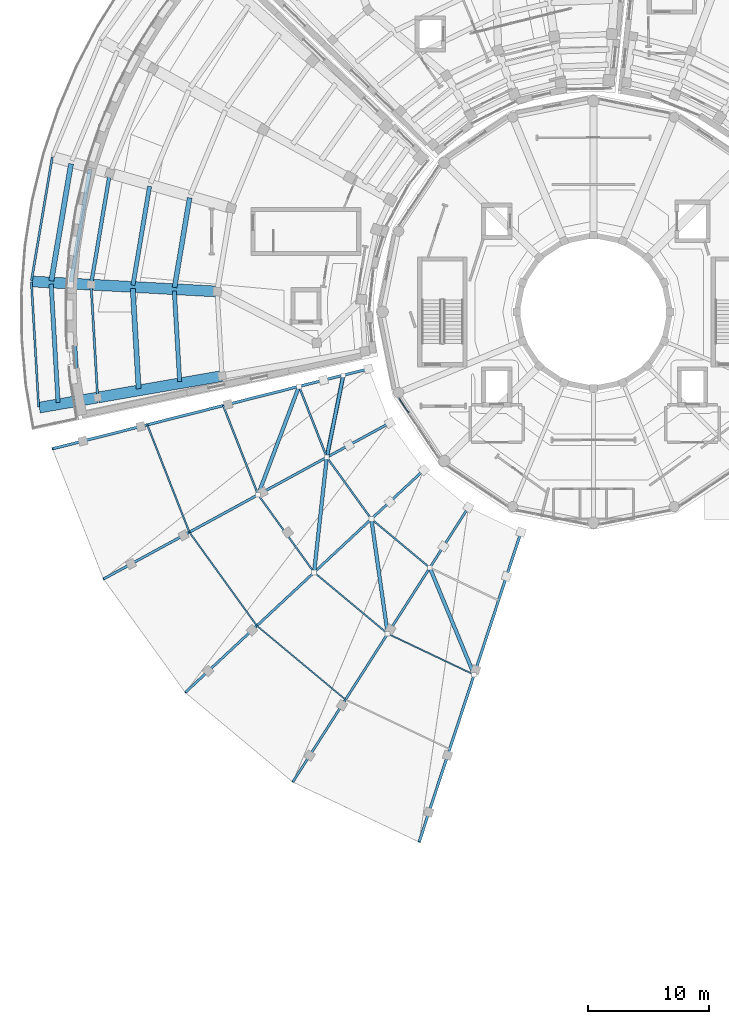
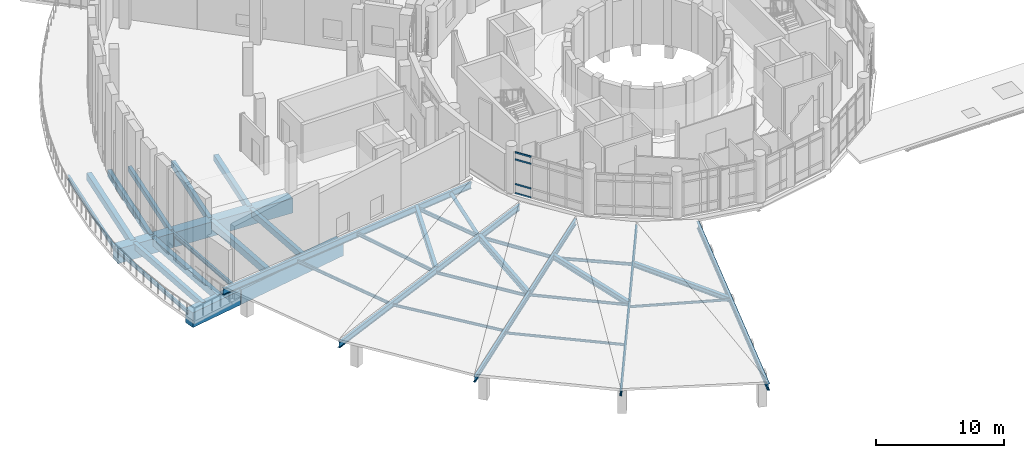
# One storey, part 6 of 75: 21 beams, 19 members, 1 element without a shape of its own.
"""IFC4 building model written with IfcOpenShell, lengths in metres."""

from ifc_helpers import new_model, si_unit, direction, frame, origin, origin_2d, place, context, subcontext, project, spatial, rectangle, hollow_circle, i_section, extrude, material, material_profile, profile_set, type_object, element, aggregate, save


model = new_model("IFC4")

# Units and contexts
model_context = context("Model", 3, precision=1e-05, world=origin(), true_north=direction((0.0, 1.0)))
body_context = subcontext(model_context, "Body", "Model", "MODEL_VIEW")
ifc_project = project(units=[si_unit("LENGTHUNIT", "METRE"), si_unit("AREAUNIT", "SQUARE_METRE"), si_unit("VOLUMEUNIT", "CUBIC_METRE"), si_unit("PLANEANGLEUNIT", "RADIAN"), si_unit("MASSUNIT", "GRAM", prefix="KILO")], contexts=[model_context])

# Site, building, storey
site_placement = place(None, origin())
site = spatial("IfcSite", under=ifc_project, at=site_placement, CompositionType="ELEMENT")
building_placement = place(site_placement, origin())
building = spatial("IfcBuilding", under=site, at=building_placement, Name="Soyqirgoq Riverine Aquarium", CompositionType="ELEMENT")
storey_placement = place(building_placement, frame((0.0, 0.0, 10.199951171875)))
storey = spatial("IfcBuildingStorey", under=building, at=storey_placement, Name="L03", CompositionType="ELEMENT", Elevation=10.199951171875)

# Beams
ifc_material_1 = material(Name="Concrete C40/50", Category="concrete")
ifc_material_profile_1 = material_profile(ifc_material_1, rectangle(XDim=0.35009765625, YDim=0.60009765625, at=origin_2d()), Name="RC 350x600")
ifc_profile_set_1 = profile_set([ifc_material_profile_1], Name="Concrete C40/50")
beam_type_1 = type_object("IfcBeamType", Name="Beam_RC_350x600", PredefinedType="JOIST", material=ifc_profile_set_1)
beam_1_placement = place(storey_placement, frame((19.255126953125, 67.3916015625, -0.579833984375), z_axis=(-0.165905626818, -0.986141634346, 0.0), x_axis=(0.986141634346, -0.165905626818, 0.0)))
element("IfcBeam", 1, at=beam_1_placement, inside=storey, type_object=beam_type_1, Name="V3 L03 Secondary Floor Joist 0447", PredefinedType="JOIST", context=body_context, shape_type="SweptSolid", body=[
    extrude(rectangle(XDim=0.35009765625, YDim=0.60009765625, at=origin_2d()), origin(), (0.0, 0.0, 1.0), 8.302490234375),
])
beam_2_placement = place(storey_placement, frame((21.305908203125, 58.73974609375, -0.579833984375), z_axis=(0.058472972922, -0.998288991945, 0.0), x_axis=(0.998288991945, 0.058472972922, 0.0)))
element("IfcBeam", 2, at=beam_2_placement, inside=storey, type_object=beam_type_1, Name="V3 L03 Secondary Floor Joist 0448", PredefinedType="JOIST", context=body_context, shape_type="SweptSolid", body=[
    extrude(rectangle(XDim=0.35009765625, YDim=0.60009765625, at=origin_2d()), origin(), (0.0, 0.0, 1.0), 7.528076171875),
])
beam_3_placement = place(storey_placement, frame((14.322509765625, 68.80615234375, -0.579833984375), z_axis=(-0.165914452548, -0.98614014949, 0.0), x_axis=(0.98614014949, -0.165914452548, 0.0)))
element("IfcBeam", 3, at=beam_3_placement, inside=storey, type_object=beam_type_1, Name="V3 L03 Secondary Floor Joist 0458", PredefinedType="JOIST", context=body_context, shape_type="SweptSolid", body=[
    extrude(rectangle(XDim=0.35009765625, YDim=0.60009765625, at=origin_2d()), origin(), (0.0, 0.0, 1.0), 9.455810546875),
])
ifc_material_2 = material(Name="Concrete C40/50", Category="concrete")
ifc_material_profile_2 = material_profile(ifc_material_2, rectangle(XDim=0.39990234375, YDim=0.60009765625, at=origin_2d()), Name="RC 400x600")
ifc_profile_set_2 = profile_set([ifc_material_profile_2], Name="Concrete C40/50")
beam_type_2 = type_object("IfcBeamType", Name="Beam_RC_400x600", PredefinedType="JOIST", material=ifc_profile_set_2)
beam_4_placement = place(storey_placement, frame((22.570068359375, 66.441162109375, -0.579833984375), z_axis=(-0.165918682022, -0.986139437887, 0.0), x_axis=(0.986139437887, -0.165918682022, 0.0)))
element("IfcBeam", 4, at=beam_4_placement, inside=storey, type_object=beam_type_2, Name="V3 L03 Secondary Floor Joist 0446", PredefinedType="JOIST", context=body_context, shape_type="SweptSolid", body=[
    extrude(rectangle(XDim=0.39990234375, YDim=0.60009765625, at=origin_2d()), origin(), (0.0, 0.0, 1.0), 7.52783203125),
])
ifc_material_3 = material(Name="Concrete C40/50", Category="concrete")
ifc_material_profile_3 = material_profile(ifc_material_3, rectangle(XDim=0.419921875, YDim=0.679931640625, at=origin_2d()), Name="RC 420x680")
ifc_profile_set_3 = profile_set([ifc_material_profile_3], Name="Concrete C40/50")
beam_type_3 = type_object("IfcBeamType", Name="Beam_RC_420x680", PredefinedType="BEAM", material=ifc_profile_set_3)
beam_5_placement = place(storey_placement, frame((17.862548828125, 58.92626953125, -0.619873046875), z_axis=(0.058454850399, -0.998290053273, 0.0), x_axis=(0.998290053273, 0.058454850399, 0.0)))
element("IfcBeam", 5, at=beam_5_placement, inside=storey, type_object=beam_type_3, Name="V3 L03 Secondary Floor Joist 0449", PredefinedType="BEAM", context=body_context, shape_type="SweptSolid", body=[
    extrude(rectangle(XDim=0.419921875, YDim=0.679931640625, at=origin_2d()), origin(), (0.0, 0.0, 1.0), 8.302978515625),
])
beam_6_placement = place(storey_placement, frame((12.752197265625, 69.25634765625, -0.619873046875), z_axis=(-0.165906209176, -0.986141536371, 0.0), x_axis=(0.986141536371, -0.165906209176, 0.0)))
element("IfcBeam", 6, at=beam_6_placement, inside=storey, type_object=beam_type_3, Name="V3 L03 Secondary Floor Joist 0459", PredefinedType="BEAM", context=body_context, shape_type="SweptSolid", body=[
    extrude(rectangle(XDim=0.419921875, YDim=0.679931640625, at=origin_2d()), origin(), (0.0, 0.0, 1.0), 9.82275390625),
])
beam_7_placement = place(storey_placement, frame((12.738525390625, 59.20361328125, -0.619873046875), z_axis=(0.05845563255, -0.998290007474, 0.0), x_axis=(0.998290007474, 0.05845563255, 0.0)))
element("IfcBeam", 7, at=beam_7_placement, inside=storey, type_object=beam_type_3, Name="V3 L03 Secondary Floor Joist 0460", PredefinedType="BEAM", context=body_context, shape_type="SweptSolid", body=[
    extrude(rectangle(XDim=0.419921875, YDim=0.679931640625, at=origin_2d()), origin(), (0.0, 0.0, 1.0), 9.45556640625),
])

# Member
ifc_material_4 = material(Name="Structural steel S355", Category="steel")
ifc_material_profile_4 = material_profile(ifc_material_4, i_section(OverallWidth=0.300048828125, OverallDepth=0.449951171875, WebThickness=0.013916015625, FlangeThickness=0.02587890625, FilletRadius=0.027099609375, at=origin_2d()), Name="HEB 450")
ifc_profile_set_4 = profile_set([ifc_material_profile_4], Name="Structural steel S355")
member_type_1 = type_object("IfcMemberType", Name="BridgeChord_HEB450", PredefinedType="CHORD", material=ifc_profile_set_4)
member_1_placement = place(storey_placement, frame((42.455322265625, 35.82080078125, 0.898193359375), z_axis=(0.381642090907, -0.92155885477, 0.071264238177), x_axis=(0.92390791656, 0.382614900021, 0.0)))
element("IfcMember", 8, at=member_1_placement, inside=storey, type_object=member_type_1, Name="V2 Lateral Wind Brace 0156", PredefinedType="CHORD", context=body_context, shape_type="SweptSolid", body=[
    extrude(i_section(OverallWidth=0.300048828125, OverallDepth=0.449951171875, WebThickness=0.013916015625, FlangeThickness=0.02587890625, FilletRadius=0.027099609375, at=origin_2d()), origin(), (0.0, 0.0, 1.0), 9.613037109375),
])

# Curtain wall, members
ifc_material_5 = material(Name="Anodised aluminium thermally broken triple low-E glazing", Category="aluminium")
curtain_wall_type = type_object("IfcCurtainWallType", Name="CW_DrumGallery_Unitised", PredefinedType="NOTDEFINED", material=ifc_material_5)
curtain_wall_placement = place(storey_placement, origin())
curtain_wall = element("IfcCurtainWall", 9, at=curtain_wall_placement, inside=storey, type_object=curtain_wall_type, Name="V1 L03 Curtain Wall 036", PredefinedType="NOTDEFINED")
ifc_material_6 = material(Name="Anodised aluminium 6063-T6", Category="aluminium")
ifc_material_profile_5 = material_profile(ifc_material_6, rectangle(XDim=0.074951171875, YDim=0.14990234375, at=origin_2d()), Name="ALU-T 75x150")
ifc_profile_set_5 = profile_set([ifc_material_profile_5], Name="Anodised aluminium 6063-T6")
member_type_2 = type_object("IfcMemberType", Name="CWTransom_75x150", PredefinedType="USERDEFINED", material=ifc_profile_set_5)
member_2_placement = place(storey_placement, frame((39.916748046875, 49.8232421875, 0.03759765625), z_axis=(0.555582440288, -0.831461455537, 0.0), x_axis=(0.831461455537, 0.555582440288, 0.0)))
member_2 = element("IfcMember", 10, at=member_2_placement, type_object=member_type_2, Name="CW-01 transom 1.1", ObjectType="TRANSOM", PredefinedType="USERDEFINED", context=body_context, shape_type="SweptSolid", body=[
    extrude(rectangle(XDim=0.074951171875, YDim=0.14990234375, at=origin_2d()), origin(), (0.0, 0.0, 1.0), 1.404541015625),
])
member_3_placement = place(storey_placement, frame((39.916748046875, 49.8232421875, 0.900146484375), z_axis=(0.555582440288, -0.831461455537, 0.0), x_axis=(0.831461455537, 0.555582440288, 0.0)))
member_3 = element("IfcMember", 11, at=member_3_placement, type_object=member_type_2, Name="CW-01 transom 1.2", ObjectType="TRANSOM", PredefinedType="USERDEFINED", context=body_context, shape_type="SweptSolid", body=[
    extrude(rectangle(XDim=0.074951171875, YDim=0.14990234375, at=origin_2d()), origin(), (0.0, 0.0, 1.0), 1.404541015625),
])
member_4_placement = place(storey_placement, frame((39.916748046875, 49.8232421875, 3.25), z_axis=(0.555582440288, -0.831461455537, 0.0), x_axis=(0.831461455537, 0.555582440288, 0.0)))
member_4 = element("IfcMember", 12, at=member_4_placement, type_object=member_type_2, Name="CW-01 transom 1.3", ObjectType="TRANSOM", PredefinedType="USERDEFINED", context=body_context, shape_type="SweptSolid", body=[
    extrude(rectangle(XDim=0.074951171875, YDim=0.14990234375, at=origin_2d()), origin(), (0.0, 0.0, 1.0), 1.404541015625),
])
member_5_placement = place(storey_placement, frame((39.916748046875, 49.8232421875, 3.91259765625), z_axis=(0.555582440288, -0.831461455537, 0.0), x_axis=(0.831461455537, 0.555582440288, 0.0)))
member_5 = element("IfcMember", 13, at=member_5_placement, type_object=member_type_2, Name="CW-01 transom 1.4", ObjectType="TRANSOM", PredefinedType="USERDEFINED", context=body_context, shape_type="SweptSolid", body=[
    extrude(rectangle(XDim=0.074951171875, YDim=0.14990234375, at=origin_2d()), origin(), (0.0, 0.0, 1.0), 1.404541015625),
])
aggregate(curtain_wall, [member_2, member_3, member_4, member_5])

# Members
ifc_material_7 = material(Name="Structural steel S355", Category="steel")
ifc_material_profile_6 = material_profile(ifc_material_7, hollow_circle(Radius=0.161865234375, WallThickness=0.012451171875, at=origin_2d()), Name="CHS 323.9x12.5")
ifc_profile_set_6 = profile_set([ifc_material_profile_6], Name="Structural steel S355")
member_type_3 = type_object("IfcMemberType", Name="Diag_CHS323", PredefinedType="RAFTER", material=ifc_profile_set_6)
member_6_placement = place(storey_placement, frame((35.29248046875, 51.76025390625, 0.4033203125), z_axis=(-0.196593483937, -0.978572108383, 0.061217895821), x_axis=(0.980410941923, -0.19696290249, 0.0)))
element("IfcMember", 14, at=member_6_placement, inside=storey, type_object=member_type_3, Name="V2 Prairie Truss Sub-Rafter Diagonal 0205", PredefinedType="RAFTER", context=body_context, shape_type="SweptSolid", body=[
    extrude(hollow_circle(Radius=0.161865234375, WallThickness=0.012451171875, at=origin_2d()), origin(), (0.0, 0.0, 1.0), 6.943115234375),
])
ifc_material_8 = material(Name="Structural steel S355", Category="steel")
ifc_material_profile_7 = material_profile(ifc_material_8, i_section(OverallWidth=0.300048828125, OverallDepth=0.5, WebThickness=0.014404296875, FlangeThickness=0.028076171875, FilletRadius=0.027099609375, at=origin_2d()), Name="HEB 500")
ifc_profile_set_7 = profile_set([ifc_material_profile_7], Name="Structural steel S355")
member_type_4 = type_object("IfcMemberType", Name="FoldChord_HEB500", PredefinedType="CHORD", material=ifc_profile_set_7)
member_7_placement = place(storey_placement, frame((37.61376953125, 39.8544921875, 0.873046875), z_axis=(0.14040629348, -0.98705802014, 0.077476045508), x_axis=(0.990033850214, 0.140829597138, 0.0)))
element("IfcMember", 15, at=member_7_placement, inside=storey, type_object=member_type_4, Name="V2 Lateral Wind Brace 0152", PredefinedType="CHORD", context=body_context, shape_type="SweptSolid", body=[
    extrude(i_section(OverallWidth=0.300048828125, OverallDepth=0.5, WebThickness=0.014404296875, FlangeThickness=0.028076171875, FilletRadius=0.027099609375, at=origin_2d()), origin(), (0.0, 0.0, 1.0), 9.617431640625),
])
ifc_material_9 = material(Name="Structural steel S355", Category="steel")
ifc_material_profile_8 = material_profile(ifc_material_9, i_section(OverallWidth=0.300048828125, OverallDepth=0.60009765625, WebThickness=0.015380859375, FlangeThickness=0.030029296875, FilletRadius=0.027099609375, at=origin_2d()), Name="HEB 600")
ifc_profile_set_8 = profile_set([ifc_material_profile_8], Name="Structural steel S355")
member_type_5 = type_object("IfcMemberType", Name="FoldChord_HEB600", PredefinedType="CHORD", material=ifc_profile_set_8)
member_8_placement = place(storey_placement, frame((33.927490234375, 44.9658203125, 0.8681640625), z_axis=(-0.109504036634, -0.991121974974, 0.075406211176), x_axis=(0.993951856632, -0.109816695895, 0.0)))
element("IfcMember", 16, at=member_8_placement, inside=storey, type_object=member_type_5, Name="V2 Lateral Wind Brace 0148", PredefinedType="CHORD", context=body_context, shape_type="SweptSolid", body=[
    extrude(i_section(OverallWidth=0.300048828125, OverallDepth=0.60009765625, WebThickness=0.015380859375, FlangeThickness=0.030029296875, FilletRadius=0.027099609375, at=origin_2d()), origin(), (0.0, 0.0, 1.0), 9.615966796875),
])
ifc_material_10 = material(Name="Structural steel S355", Category="steel")
ifc_material_profile_9 = material_profile(ifc_material_10, i_section(OverallWidth=0.300048828125, OverallDepth=0.64990234375, WebThickness=0.01611328125, FlangeThickness=0.031005859375, FilletRadius=0.027099609375, at=origin_2d()), Name="HEB 650")
ifc_profile_set_9 = profile_set([ifc_material_profile_9], Name="Structural steel S355")
member_type_6 = type_object("IfcMemberType", Name="FoldChord_HEB650", PredefinedType="CHORD", material=ifc_profile_set_9)
member_9_placement = place(storey_placement, frame((31.628173828125, 50.8330078125, 0.86328125), z_axis=(-0.352555050832, -0.932750068953, 0.075380667285), x_axis=(0.935411473612, -0.353560991959, 0.0)))
element("IfcMember", 17, at=member_9_placement, inside=storey, type_object=member_type_6, Name="V2 Lateral Wind Brace 0144", PredefinedType="CHORD", context=body_context, shape_type="SweptSolid", body=[
    extrude(i_section(OverallWidth=0.300048828125, OverallDepth=0.64990234375, WebThickness=0.01611328125, FlangeThickness=0.031005859375, FilletRadius=0.027099609375, at=origin_2d()), origin(), (0.0, 0.0, 1.0), 9.615966796875),
])

# Beams
ifc_material_11 = material(Name="Structural steel S355", Category="steel")
ifc_material_profile_10 = material_profile(ifc_material_11, i_section(OverallWidth=0.18994140625, OverallDepth=0.449951171875, WebThickness=0.009521484375, FlangeThickness=0.0146484375, FilletRadius=0.02099609375, at=origin_2d()), Name="IPE 450")
ifc_profile_set_10 = profile_set([ifc_material_profile_10], Name="Structural steel S355")
beam_type_4 = type_object("IfcBeamType", Name="Outrigger_IPE450", PredefinedType="BEAM", material=ifc_profile_set_10)
beam_8_placement = place(storey_placement, frame((45.655517578125, 40.824951171875, 0.23828125), z_axis=(-0.535468752244, -0.837304066224, 0.11043149938), x_axis=(0.842456752751, -0.53876397406, 0.0)))
element("IfcBeam", 18, at=beam_8_placement, inside=storey, type_object=beam_type_4, Name="V2 Prairie Cantilever Eave Rafter 04", PredefinedType="BEAM", context=body_context, shape_type="SweptSolid", body=[
    extrude(i_section(OverallWidth=0.18994140625, OverallDepth=0.449951171875, WebThickness=0.009521484375, FlangeThickness=0.0146484375, FilletRadius=0.02099609375, at=origin_2d()), origin(), (0.0, 0.0, 1.0), 27.166259765625),
])
ifc_material_12 = material(Name="Structural steel S355", Category="steel")
ifc_material_profile_11 = material_profile(ifc_material_12, i_section(OverallWidth=0.199951171875, OverallDepth=0.5, WebThickness=0.01025390625, FlangeThickness=0.01611328125, FilletRadius=0.02099609375, at=origin_2d()), Name="IPE 500")
ifc_profile_set_11 = profile_set([ifc_material_profile_11], Name="Structural steel S355")
beam_type_5 = type_object("IfcBeamType", Name="Outrigger_IPE500", PredefinedType="BEAM", material=ifc_profile_set_11)
beam_9_placement = place(storey_placement, frame((41.9580078125, 43.905517578125, 0.213134765625), z_axis=(-0.726883596693, -0.677823761942, 0.11043180975), x_axis=(0.681995046091, -0.731356791933, 0.0)))
element("IfcBeam", 19, at=beam_9_placement, inside=storey, type_object=beam_type_5, Name="V2 Prairie Cantilever Eave Rafter 03", PredefinedType="BEAM", context=body_context, shape_type="SweptSolid", body=[
    extrude(i_section(OverallWidth=0.199951171875, OverallDepth=0.5, WebThickness=0.01025390625, FlangeThickness=0.01611328125, FilletRadius=0.02099609375, at=origin_2d()), origin(), (0.0, 0.0, 1.0), 27.166015625),
])
ifc_material_13 = material(Name="Structural steel S355", Category="steel")
ifc_material_profile_12 = material_profile(ifc_material_13, i_section(OverallWidth=0.2099609375, OverallDepth=0.550048828125, WebThickness=0.010986328125, FlangeThickness=0.01708984375, FilletRadius=0.02392578125, at=origin_2d()), Name="IPE 550")
ifc_profile_set_12 = profile_set([ifc_material_profile_12], Name="Structural steel S355")
beam_type_6 = type_object("IfcBeamType", Name="Outrigger_IPE550", PredefinedType="BEAM", material=ifc_profile_set_12)
beam_10_placement = place(storey_placement, frame((39.142578125, 47.80908203125, 0.208251953125), z_axis=(-0.872615055527, -0.475760246602, 0.11043166494), x_axis=(0.478688037031, -0.877985058645, 0.0)))
element("IfcBeam", 20, at=beam_10_placement, inside=storey, type_object=beam_type_6, Name="V2 Prairie Cantilever Eave Rafter 02", PredefinedType="BEAM", context=body_context, shape_type="SweptSolid", body=[
    extrude(i_section(OverallWidth=0.2099609375, OverallDepth=0.550048828125, WebThickness=0.010986328125, FlangeThickness=0.01708984375, FilletRadius=0.02392578125, at=origin_2d()), origin(), (0.0, 0.0, 1.0), 27.166015625),
])
ifc_material_14 = material(Name="Structural steel S355", Category="steel")
ifc_material_profile_13 = material_profile(ifc_material_14, i_section(OverallWidth=0.219970703125, OverallDepth=0.60009765625, WebThickness=0.011962890625, FlangeThickness=0.01904296875, FilletRadius=0.02392578125, at=origin_2d()), Name="IPE 600")
ifc_profile_set_13 = profile_set([ifc_material_profile_13], Name="Structural steel S355")
beam_type_7 = type_object("IfcBeamType", Name="Outrigger_IPE600", PredefinedType="BEAM", material=ifc_profile_set_13)
beam_11_placement = place(storey_placement, frame((37.38671875, 52.2900390625, 0.203369140625), z_axis=(-0.963516101871, -0.243806519057, 0.110431438909), x_axis=(0.245306878637, -0.969445478247, 0.0)))
element("IfcBeam", 21, at=beam_11_placement, inside=storey, type_object=beam_type_7, Name="V2 Prairie Cantilever Eave Rafter 01", PredefinedType="BEAM", context=body_context, shape_type="SweptSolid", body=[
    extrude(i_section(OverallWidth=0.219970703125, OverallDepth=0.60009765625, WebThickness=0.011962890625, FlangeThickness=0.01904296875, FilletRadius=0.02392578125, at=origin_2d()), origin(), (0.0, 0.0, 1.0), 27.166259765625),
])
beam_12_placement = place(storey_placement, frame((50.003173828125, 38.760498046875, 0.203369140625), z_axis=(-0.310427494086, -0.944160792692, 0.110431736649), x_axis=(0.949971090158, -0.31233784251, 0.0)))
element("IfcBeam", 22, at=beam_12_placement, inside=storey, type_object=beam_type_7, Name="V2 Prairie Cantilever Eave Rafter 05", PredefinedType="BEAM", context=body_context, shape_type="SweptSolid", body=[
    extrude(i_section(OverallWidth=0.219970703125, OverallDepth=0.60009765625, WebThickness=0.011962890625, FlangeThickness=0.01904296875, FilletRadius=0.02392578125, at=origin_2d()), origin(), (0.0, 0.0, 1.0), 27.166015625),
])

# Members
ifc_material_15 = material(Name="Structural steel S355", Category="steel")
ifc_material_profile_14 = material_profile(ifc_material_15, i_section(OverallWidth=0.110107421875, OverallDepth=0.219970703125, WebThickness=0.005859375, FlangeThickness=0.00927734375, FilletRadius=0.011962890625, at=origin_2d()), Name="IPE 220")
ifc_profile_set_14 = profile_set([ifc_material_profile_14], Name="Structural steel S355")
member_type_7 = type_object("IfcMemberType", Name="Purlin_IPE220", PredefinedType="PURLIN", material=ifc_profile_set_14)
member_10_placement = place(storey_placement, frame((28.135498046875, 31.015869140625, 2.240478515625), z_axis=(0.768284136854, -0.640108963426, 0.0), x_axis=(0.640108963426, 0.768284136854, 0.0)))
element("IfcMember", 23, at=member_10_placement, inside=storey, type_object=member_type_7, Name="V2 Prairie Roof Purlin 0151", PredefinedType="PURLIN", context=body_context, shape_type="SweptSolid", body=[
    extrude(i_section(OverallWidth=0.110107421875, OverallDepth=0.219970703125, WebThickness=0.005859375, FlangeThickness=0.00927734375, FilletRadius=0.011962890625, at=origin_2d()), origin(), (0.0, 0.0, 1.0), 9.55029296875),
])
member_11_placement = place(storey_placement, frame((38.964111328125, 30.361572265625, 1.32568359375), z_axis=(0.902928095879, -0.428726897914, 0.030234097935), x_axis=(0.428922982128, 0.903341062613, 0.0)))
element("IfcMember", 24, at=member_11_placement, inside=storey, type_object=member_type_7, Name="V2 Prairie Roof Purlin 0154", PredefinedType="PURLIN", context=body_context, shape_type="SweptSolid", body=[
    extrude(i_section(OverallWidth=0.110107421875, OverallDepth=0.219970703125, WebThickness=0.005859375, FlangeThickness=0.00927734375, FilletRadius=0.011962890625, at=origin_2d()), origin(), (0.0, 0.0, 1.0), 7.9296875),
])
ifc_material_16 = material(Name="Structural steel S355", Category="steel")
ifc_material_profile_15 = material_profile(ifc_material_16, i_section(OverallWidth=0.1201171875, OverallDepth=0.239990234375, WebThickness=0.006103515625, FlangeThickness=0.009765625, FilletRadius=0.014892578125, at=origin_2d()), Name="IPE 240")
ifc_profile_set_15 = profile_set([ifc_material_profile_15], Name="Structural steel S355")
member_type_8 = type_object("IfcMemberType", Name="Purlin_IPE240", PredefinedType="PURLIN", material=ifc_profile_set_15)
member_12_placement = place(storey_placement, frame((22.548828125, 38.76171875, 2.160888671875), z_axis=(0.584744012578, -0.810740431197, 0.027827917218), x_axis=(0.811054529483, 0.58497055499, 0.0)))
element("IfcMember", 25, at=member_12_placement, inside=storey, type_object=member_type_8, Name="V2 Prairie Roof Purlin 0147", PredefinedType="PURLIN", context=body_context, shape_type="SweptSolid", body=[
    extrude(i_section(OverallWidth=0.1201171875, OverallDepth=0.239990234375, WebThickness=0.006103515625, FlangeThickness=0.009765625, FilletRadius=0.014892578125, at=origin_2d()), origin(), (0.0, 0.0, 1.0), 9.553955078125),
])
member_13_placement = place(storey_placement, frame((32.87451171875, 35.435302734375, 1.5263671875), z_axis=(0.768276834014, -0.64011262336, -0.002556507927), x_axis=(0.640114715173, 0.768279344652, 0.0)))
element("IfcMember", 26, at=member_13_placement, inside=storey, type_object=member_type_8, Name="V2 Prairie Roof Purlin 0150", PredefinedType="PURLIN", context=body_context, shape_type="SweptSolid", body=[
    extrude(i_section(OverallWidth=0.1201171875, OverallDepth=0.239990234375, WebThickness=0.006103515625, FlangeThickness=0.009765625, FilletRadius=0.014892578125, at=origin_2d()), origin(), (0.0, 0.0, 1.0), 7.92626953125),
])
ifc_material_17 = material(Name="Structural steel S355", Category="steel")
ifc_material_profile_16 = material_profile(ifc_material_17, i_section(OverallWidth=0.135009765625, OverallDepth=0.27001953125, WebThickness=0.006591796875, FlangeThickness=0.01025390625, FilletRadius=0.014892578125, at=origin_2d()), Name="IPE 270")
ifc_profile_set_16 = profile_set([ifc_material_profile_16], Name="Structural steel S355")
member_type_9 = type_object("IfcMemberType", Name="Purlin_IPE270", PredefinedType="PURLIN", material=ifc_profile_set_16)
member_14_placement = place(storey_placement, frame((19.064208984375, 47.65380859375, 2.1650390625), z_axis=(0.364862193189, -0.931059398887, -0.001993922166), x_axis=(0.931061249711, 0.364862918487, 0.0)))
element("IfcMember", 27, at=member_14_placement, inside=storey, type_object=member_type_9, Name="V2 Prairie Roof Purlin 0143", PredefinedType="PURLIN", context=body_context, shape_type="SweptSolid", body=[
    extrude(i_section(OverallWidth=0.135009765625, OverallDepth=0.27001953125, WebThickness=0.006591796875, FlangeThickness=0.01025390625, FilletRadius=0.014892578125, at=origin_2d()), origin(), (0.0, 0.0, 1.0), 9.550537109375),
])
member_15_placement = place(storey_placement, frame((28.238037109375, 41.86376953125, 1.36474609375), z_axis=(0.584960015694, -0.811046399518, 0.005051521382), x_axis=(0.811056747803, 0.584967479303, 0.0)))
element("IfcMember", 28, at=member_15_placement, inside=storey, type_object=member_type_9, Name="V2 Prairie Roof Purlin 0146", PredefinedType="PURLIN", context=body_context, shape_type="SweptSolid", body=[
    extrude(i_section(OverallWidth=0.135009765625, OverallDepth=0.27001953125, WebThickness=0.006591796875, FlangeThickness=0.01025390625, FilletRadius=0.014892578125, at=origin_2d()), origin(), (0.0, 0.0, 1.0), 7.926025390625),
])
member_16_placement = place(storey_placement, frame((37.61376953125, 39.8544921875, 0.703857421875), z_axis=(0.768118048634, -0.639949896603, 0.021419458469), x_axis=(0.640096749467, 0.768294312957, 0.0)))
element("IfcMember", 29, at=member_16_placement, inside=storey, type_object=member_type_9, Name="V2 Prairie Roof Purlin 0149", PredefinedType="PURLIN", context=body_context, shape_type="SweptSolid", body=[
    extrude(i_section(OverallWidth=0.135009765625, OverallDepth=0.27001953125, WebThickness=0.006591796875, FlangeThickness=0.01025390625, FilletRadius=0.014892578125, at=origin_2d()), origin(), (0.0, 0.0, 1.0), 6.30322265625),
])
ifc_material_18 = material(Name="Structural steel S355", Category="steel")
ifc_material_profile_17 = material_profile(ifc_material_18, i_section(OverallWidth=0.14990234375, OverallDepth=0.300048828125, WebThickness=0.007080078125, FlangeThickness=0.0107421875, FilletRadius=0.014892578125, at=origin_2d()), Name="IPE 300")
ifc_profile_set_17 = profile_set([ifc_material_profile_17], Name="Structural steel S355")
member_type_10 = type_object("IfcMemberType", Name="Purlin_IPE300", PredefinedType="PURLIN", material=ifc_profile_set_17)
member_17_placement = place(storey_placement, frame((25.34619140625, 49.243408203125, 1.622314453125), z_axis=(0.364659151301, -0.930565822405, -0.032725426579), x_axis=(0.931064519384, 0.364854574788, 0.0)))
element("IfcMember", 30, at=member_17_placement, inside=storey, type_object=member_type_10, Name="V2 Prairie Roof Purlin 0142", PredefinedType="PURLIN", context=body_context, shape_type="SweptSolid", body=[
    extrude(i_section(OverallWidth=0.14990234375, OverallDepth=0.300048828125, WebThickness=0.007080078125, FlangeThickness=0.0107421875, FilletRadius=0.014892578125, at=origin_2d()), origin(), (0.0, 0.0, 1.0), 7.93017578125),
])
member_18_placement = place(storey_placement, frame((33.927490234375, 44.9658203125, 0.89013671875), z_axis=(0.584767521498, -0.810828056831, -0.024592845629), x_axis=(0.811073365781, 0.584944437807, 0.0)))
element("IfcMember", 31, at=member_18_placement, inside=storey, type_object=member_type_10, Name="V2 Prairie Roof Purlin 0145", PredefinedType="PURLIN", context=body_context, shape_type="SweptSolid", body=[
    extrude(i_section(OverallWidth=0.14990234375, OverallDepth=0.300048828125, WebThickness=0.007080078125, FlangeThickness=0.0107421875, FilletRadius=0.014892578125, at=origin_2d()), origin(), (0.0, 0.0, 1.0), 6.303955078125),
])
ifc_material_19 = material(Name="Structural steel S355", Category="steel")
ifc_material_profile_18 = material_profile(ifc_material_19, i_section(OverallWidth=0.159912109375, OverallDepth=0.330078125, WebThickness=0.007568359375, FlangeThickness=0.011474609375, FilletRadius=0.01806640625, at=origin_2d()), Name="IPE 330")
ifc_profile_set_18 = profile_set([ifc_material_profile_18], Name="Structural steel S355")
member_type_11 = type_object("IfcMemberType", Name="Purlin_IPE330", PredefinedType="PURLIN", material=ifc_profile_set_18)
member_19_placement = place(storey_placement, frame((31.628173828125, 50.8330078125, 0.893798828125), z_axis=(0.364873717751, -0.931051729135, -0.003138115432), x_axis=(0.93105631356, 0.36487551436, 0.0)))
element("IfcMember", 32, at=member_19_placement, inside=storey, type_object=member_type_11, Name="V2 Prairie Roof Purlin 0141", PredefinedType="PURLIN", context=body_context, shape_type="SweptSolid", body=[
    extrude(i_section(OverallWidth=0.159912109375, OverallDepth=0.330078125, WebThickness=0.007568359375, FlangeThickness=0.011474609375, FilletRadius=0.01806640625, at=origin_2d()), origin(), (0.0, 0.0, 1.0), 6.3017578125),
])

# Beams
ifc_material_20 = material(Name="Concrete C40/50", Category="concrete")
ifc_material_profile_19 = material_profile(ifc_material_20, rectangle(XDim=0.300048828125, YDim=0.5, at=origin_2d()), Name="RC 300x500")
ifc_profile_set_19 = profile_set([ifc_material_profile_19], Name="Concrete C40/50")
beam_type_8 = type_object("IfcBeamType", Name="Spandrel_RC_300x500", PredefinedType="SPANDREL", material=ifc_profile_set_19)
beam_13_placement = place(storey_placement, frame((15.955078125, 68.430908203125, -0.530029296875), z_axis=(-0.165908433428, -0.986141162166, 0.0), x_axis=(0.986141162166, -0.165908433428, 0.0)))
element("IfcBeam", 33, at=beam_13_placement, inside=storey, type_object=beam_type_8, Name="V3 L03 Wedge Chord Beam 0452", PredefinedType="SPANDREL", context=body_context, shape_type="SweptSolid", body=[
    extrude(rectangle(XDim=0.300048828125, YDim=0.5, at=origin_2d()), origin(), (0.0, 0.0, 1.0), 9.257568359375),
])
ifc_material_21 = material(Name="Structural steel S355", Category="steel")
ifc_material_profile_20 = material_profile(ifc_material_21, i_section(OverallWidth=0.169921875, OverallDepth=0.360107421875, WebThickness=0.008056640625, FlangeThickness=0.0126953125, FilletRadius=0.01806640625, at=origin_2d()), Name="IPE 360")
ifc_profile_set_20 = profile_set([ifc_material_profile_20], Name="Structural steel S355")
beam_type_9 = type_object("IfcBeamType", Name="Spandrel_Steel_IPE360", PredefinedType="SPANDREL", material=ifc_profile_set_20)
beam_14_placement = place(storey_placement, frame((9.47119140625, 59.47021484375, -0.4599609375), z_axis=(0.05843495127, -0.998291218268, 0.0), x_axis=(0.998291218268, 0.05843495127, 0.0)))
element("IfcBeam", 34, at=beam_14_placement, inside=storey, type_object=beam_type_9, Name="V3 L03 Wedge Chord Beam 0465", PredefinedType="SPANDREL", context=body_context, shape_type="SweptSolid", body=[
    extrude(i_section(OverallWidth=0.169921875, OverallDepth=0.360107421875, WebThickness=0.008056640625, FlangeThickness=0.0126953125, FilletRadius=0.01806640625, at=origin_2d()), origin(), (0.0, 0.0, 1.0), 10.369873046875),
])
ifc_material_22 = material(Name="Structural steel S355", Category="steel")
ifc_material_profile_21 = material_profile(ifc_material_22, i_section(OverallWidth=0.179931640625, OverallDepth=0.39990234375, WebThickness=0.008544921875, FlangeThickness=0.013427734375, FilletRadius=0.02099609375, at=origin_2d()), Name="IPE 400")
ifc_profile_set_21 = profile_set([ifc_material_profile_21], Name="Structural steel S355")
beam_type_10 = type_object("IfcBeamType", Name="Spandrel_Steel_IPE400", PredefinedType="SPANDREL", material=ifc_profile_set_21)
beam_15_placement = place(storey_placement, frame((14.413818359375, 59.202392578125, -0.47998046875), z_axis=(0.058440656196, -0.998290884313, 0.0), x_axis=(0.998290884313, 0.058440656196, 0.0)))
element("IfcBeam", 35, at=beam_15_placement, inside=storey, type_object=beam_type_10, Name="V3 L03 Wedge Chord Beam 0453", PredefinedType="SPANDREL", context=body_context, shape_type="SweptSolid", body=[
    extrude(i_section(OverallWidth=0.179931640625, OverallDepth=0.39990234375, WebThickness=0.008544921875, FlangeThickness=0.013427734375, FilletRadius=0.02099609375, at=origin_2d()), origin(), (0.0, 0.0, 1.0), 9.257568359375),
])
beam_16_placement = place(storey_placement, frame((11.197021484375, 69.79541015625, -0.47998046875), z_axis=(-0.165910665229, -0.986140786685, 0.0), x_axis=(0.986140786685, -0.165910665229, 0.0)))
element("IfcBeam", 36, at=beam_16_placement, inside=storey, type_object=beam_type_10, Name="V3 L03 Wedge Chord Beam 0464", PredefinedType="SPANDREL", context=body_context, shape_type="SweptSolid", body=[
    extrude(i_section(OverallWidth=0.179931640625, OverallDepth=0.39990234375, WebThickness=0.008544921875, FlangeThickness=0.013427734375, FilletRadius=0.02099609375, at=origin_2d()), origin(), (0.0, 0.0, 1.0), 10.369873046875),
])
ifc_material_23 = material(Name="Concrete C40/50", Category="concrete")
ifc_material_profile_22 = material_profile(ifc_material_23, rectangle(XDim=0.35009765625, YDim=0.550048828125, at=origin_2d()), Name="RC 350x550")
ifc_profile_set_22 = profile_set([ifc_material_profile_22], Name="Concrete C40/50")
beam_type_11 = type_object("IfcBeamType", Name="TBeam_RC_350x550", PredefinedType="T_BEAM", material=ifc_profile_set_22)
beam_17_placement = place(storey_placement, frame((11.107421875, 59.2919921875, -0.554931640625), z_axis=(0.05843353291, -0.99829130129, 0.0), x_axis=(0.99829130129, 0.05843353291, 0.0)))
element("IfcBeam", 37, at=beam_17_placement, inside=storey, type_object=beam_type_11, Name="V3 L03 Secondary Floor Joist 0461", PredefinedType="T_BEAM", context=body_context, shape_type="SweptSolid", body=[
    extrude(rectangle(XDim=0.35009765625, YDim=0.550048828125, at=origin_2d()), origin(), (0.0, 0.0, 1.0), 9.82275390625),
])
ifc_material_24 = material(Name="Waterproof concrete C45/55", Category="concrete")
ifc_material_profile_23 = material_profile(ifc_material_24, rectangle(XDim=0.89990234375, YDim=1.39990234375, at=origin_2d()), Name="RC 900x1400")
ifc_profile_set_23 = profile_set([ifc_material_profile_23], Name="Waterproof concrete C45/55")
beam_type_12 = type_object("IfcBeamType", Name="TransferGirder_900x1400", PredefinedType="BEAM", material=ifc_profile_set_23)
beam_18_placement = place(storey_placement, frame((24.7958984375, 58.68994140625, -0.97998046875), z_axis=(-0.998536254205, 0.054086495899, 0.0), x_axis=(-0.054086495899, -0.998536254205, 0.0)))
element("IfcBeam", 38, at=beam_18_placement, inside=storey, type_object=beam_type_12, Name="V3 L03 Wedge Radial Girder 0424", PredefinedType="BEAM", context=body_context, shape_type="SweptSolid", body=[
    extrude(rectangle(XDim=0.89990234375, YDim=1.39990234375, at=origin_2d()), origin(), (0.0, 0.0, 1.0), 10.350341796875),
])
beam_19_placement = place(storey_placement, frame((14.361083984375, 59.255126953125, -0.97998046875), z_axis=(-0.998537576749, 0.054062073773, 0.0), x_axis=(-0.054062073773, -0.998537576749, 0.0)))
element("IfcBeam", 39, at=beam_19_placement, inside=storey, type_object=beam_type_12, Name="V3 L03 Wedge Radial Girder 0425", PredefinedType="BEAM", context=body_context, shape_type="SweptSolid", body=[
    extrude(rectangle(XDim=0.89990234375, YDim=1.39990234375, at=origin_2d()), origin(), (0.0, 0.0, 1.0), 4.85009765625),
])
beam_20_placement = place(storey_placement, frame((25.2060546875, 51.680908203125, -0.97998046875), z_axis=(-0.985407089182, -0.170214184453, 0.0), x_axis=(0.170214184453, -0.985407089182, 0.0)))
element("IfcBeam", 40, at=beam_20_placement, inside=storey, type_object=beam_type_12, Name="V3 L03 Wedge Radial Girder 0427", PredefinedType="BEAM", context=body_context, shape_type="SweptSolid", body=[
    extrude(rectangle(XDim=0.89990234375, YDim=1.39990234375, at=origin_2d()), origin(), (0.0, 0.0, 1.0), 10.35009765625),
])
beam_21_placement = place(storey_placement, frame((14.908447265625, 49.90234375, -0.97998046875), z_axis=(-0.985401055324, -0.170249112087, 0.0), x_axis=(0.170249112087, -0.985401055324, 0.0)))
element("IfcBeam", 41, at=beam_21_placement, inside=storey, type_object=beam_type_12, Name="V3 L03 Wedge Radial Girder 0428", PredefinedType="BEAM", context=body_context, shape_type="SweptSolid", body=[
    extrude(rectangle(XDim=0.89990234375, YDim=1.39990234375, at=origin_2d()), origin(), (0.0, 0.0, 1.0), 4.849853515625),
])

save(model, "model.ifc")
